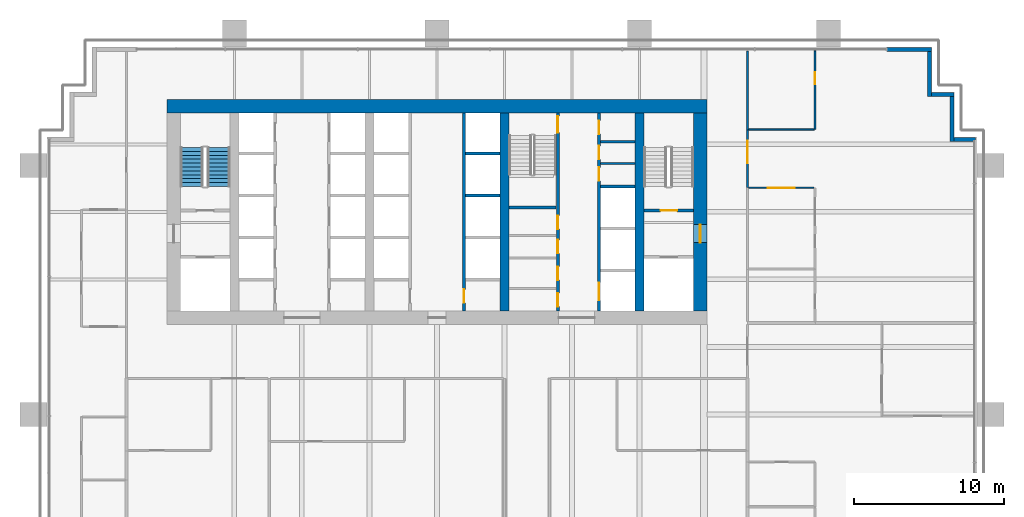
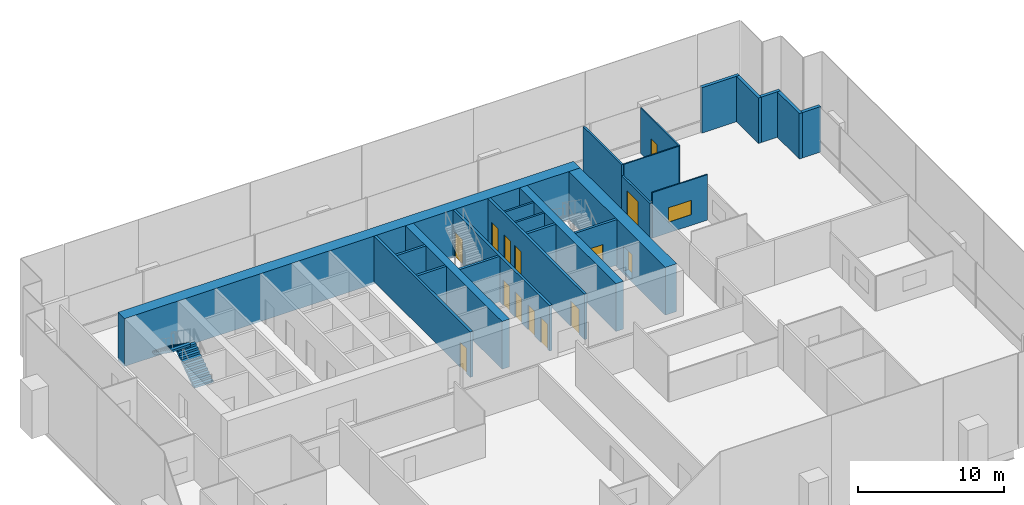
# One storey, part 15 of 19: 24 walls, 14 doors, 2 stair flights, 1 window, 15 openings, 1 element without a shape of its own.
"""IFC4 building model written with IfcOpenShell, lengths in metres."""

from ifc_helpers import new_model, si_unit, direction, frame, frame_2d, origin, place, context, subcontext, project, spatial, polyline, rectangle, outline, extrude, material, layer, layer_set, type_object, element, fill, aggregate, save


model = new_model("IFC4")

# Units and contexts
model_context = context("Model", 3, precision=1e-05, world=origin(), true_north=direction((0.0, 1.0)))
body_context = subcontext(model_context, "Body", "Model", "MODEL_VIEW")
ifc_project = project(units=[si_unit("LENGTHUNIT", "METRE"), si_unit("AREAUNIT", "SQUARE_METRE"), si_unit("VOLUMEUNIT", "CUBIC_METRE"), si_unit("PLANEANGLEUNIT", "RADIAN"), si_unit("MASSUNIT", "GRAM", prefix="KILO")], contexts=[model_context])

# Site, building, storey
site_placement = place(None, origin())
site = spatial("IfcSite", under=ifc_project, at=site_placement, CompositionType="ELEMENT")
building_placement = place(site_placement, origin())
building = spatial("IfcBuilding", under=site, at=building_placement, Name="Rattan Terrace Tower", CompositionType="ELEMENT")
storey_placement = place(building_placement, frame((0.0, 0.0, 91.699951171875)))
storey = spatial("IfcBuildingStorey", under=building, at=storey_placement, Name="L20", CompositionType="ELEMENT", Elevation=91.699951171875)

# Walls
ifc_material_1 = material(Name="Gypsum board partition")
ifc_layer_1 = layer(ifc_material_1, 0.14990234375)
ifc_layer_set_1 = layer_set([ifc_layer_1], Name="Core partition 150")
wall_type_1 = type_object("IfcWallType", Name="Core partition 150", PredefinedType="PARTITIONING", material=ifc_layer_set_1)
for number, where, z_axis, x_axis, name in (
    (1, (10.89990234375, 3.239990234375, 0.0), (0.0, 0.0, 1.0), (1.0, 0.0, 0.0), "Riser room wall"),
    (2, (10.89990234375, 4.679931640625, 0.0), (0.0, 0.0, 1.0), (1.0, 0.0, 0.0), "Riser room wall"),
):
    element("IfcWall", number, at=place(storey_placement, frame(where, z_axis=z_axis, x_axis=x_axis)), inside=storey, type_object=wall_type_1, Name=name, PredefinedType="PARTITIONING", context=body_context, shape_type="SweptSolid", body=[
        extrude(rectangle(XDim=2.300048828125, YDim=0.14990234375, at=frame_2d((1.14990234375, 0.0))), origin(), (0.0, 0.0, 1.0), 3.800048828125),
    ])

# Wall, opening, door
ifc_material_2 = material(Name="Gypsum board partition")
ifc_layer_2 = layer(ifc_material_2, 0.199951171875)
ifc_layer_set_2 = layer_set([ifc_layer_2], Name="Core partition 200")
wall_type_2 = type_object("IfcWallType", Name="Core partition 200", PredefinedType="PARTITIONING", material=ifc_layer_set_2)
wall_1_placement = place(storey_placement, frame((13.800048828125, 0.10009765625, 0.0), z_axis=(0.0, 0.0, 1.0), x_axis=(1.0, 0.0, 0.0)))
wall_1 = element("IfcWall", 3, at=wall_1_placement, inside=storey, type_object=wall_type_2, Name="Stair enclosure wall", PredefinedType="PARTITIONING", context=body_context, shape_type="SweptSolid", body=[
    extrude(rectangle(XDim=3.300048828125, YDim=0.199951171875, at=frame_2d((1.64990234375, 0.0))), origin(), (0.0, 0.0, 1.0), 3.800048828125),
])
opening_1_placement = place(wall_1_placement, frame((1.10009765625, 0.0, 0.0)))
opening_1 = element("IfcOpeningElement", 4, at=opening_1_placement, cuts=wall_1, Name="Opening L20-D004", PredefinedType="OPENING", context=body_context, shape_type="SweptSolid", body=[
    extrude(rectangle(XDim=1.10009765625, YDim=2.10009765625, at=frame_2d((0.550048828125, 1.050048828125))), frame((0.0, 0.110595703125, 0.0), z_axis=(0.0, -1.0, 0.0), x_axis=(1.0, 0.0, 0.0)), (0.0, 0.0, 1.0), 0.220947265625),
])
ifc_material_3 = material(Name="Hollow-metal fire door leaf")
door_type_1 = type_object("IfcDoorType", Name="Core stair door 1100", OperationType="NOTDEFINED", PredefinedType="DOOR", material=ifc_material_3)
door_1_placement = place(opening_1_placement, origin())
door_1 = element("IfcDoor", 5, at=door_1_placement, inside=storey, type_object=door_type_1, Name="Door L20-D004", OperationType="SINGLE_SWING_LEFT", OverallHeight=2.10009765625, OverallWidth=1.10009765625, PredefinedType="DOOR", context=body_context, shape_type="SweptSolid", body=[
    extrude(rectangle(XDim=1.10009765625, YDim=2.10009765625, at=frame_2d((0.550048828125, 1.050048828125))), frame((0.0, 0.02490234375, 0.0), z_axis=(0.0, -1.0, 0.0), x_axis=(1.0, 0.0, 0.0)), (0.0, 0.0, 1.0), 0.050048828125),
])
fill(opening_1, door_1)

# Wall, openings, doors
wall_2_placement = place(storey_placement, frame((8.050048828125, -6.60009765625, 0.0), z_axis=(0.0, 0.0, 1.0), x_axis=(0.0, 1.0, 0.0)))
wall_2 = element("IfcWall", 6, at=wall_2_placement, inside=storey, type_object=wall_type_2, Name="Lobby wall west", PredefinedType="PARTITIONING", context=body_context, shape_type="SweptSolid", body=[
    extrude(rectangle(XDim=13.2001953125, YDim=0.199951171875, at=frame_2d((6.60009765625, 0.0))), origin(), (0.0, 0.0, 1.0), 3.800048828125),
])
opening_2_placement = place(wall_2_placement, frame((0.298095703125, 0.0, 0.0)))
opening_2 = element("IfcOpeningElement", 7, at=opening_2_placement, cuts=wall_2, Name="Opening L20-D011", PredefinedType="OPENING", context=body_context, shape_type="SweptSolid", body=[
    extrude(rectangle(XDim=0.89990234375, YDim=2.10009765625, at=frame_2d((0.449951171875, 1.050048828125))), frame((0.0, 0.110595703125, 0.0), z_axis=(0.0, -1.0, 0.0), x_axis=(1.0, 0.0, 0.0)), (0.0, 0.0, 1.0), 0.220947265625),
])
opening_3_placement = place(wall_2_placement, frame((2.06591796875, 0.0, 0.0)))
opening_3 = element("IfcOpeningElement", 8, at=opening_3_placement, cuts=wall_2, Name="Opening L20-D012", PredefinedType="OPENING", context=body_context, shape_type="SweptSolid", body=[
    extrude(rectangle(XDim=0.89990234375, YDim=2.10009765625, at=frame_2d((0.449951171875, 1.050048828125))), frame((0.0, 0.110595703125, 0.0), z_axis=(0.0, -1.0, 0.0), x_axis=(1.0, 0.0, 0.0)), (0.0, 0.0, 1.0), 0.220947265625),
])
opening_4_placement = place(wall_2_placement, frame((3.833984375, 0.0, 0.0)))
opening_4 = element("IfcOpeningElement", 9, at=opening_4_placement, cuts=wall_2, Name="Opening L20-D013", PredefinedType="OPENING", context=body_context, shape_type="SweptSolid", body=[
    extrude(rectangle(XDim=0.89990234375, YDim=2.10009765625, at=frame_2d((0.449951171875, 1.050048828125))), frame((0.0, 0.110595703125, 0.0), z_axis=(0.0, -1.0, 0.0), x_axis=(1.0, 0.0, 0.0)), (0.0, 0.0, 1.0), 0.220947265625),
])
opening_5_placement = place(wall_2_placement, frame((5.466064453125, 0.0, 0.0)))
opening_5 = element("IfcOpeningElement", 10, at=opening_5_placement, cuts=wall_2, Name="Opening L20-D014", PredefinedType="OPENING", context=body_context, shape_type="SweptSolid", body=[
    extrude(rectangle(XDim=0.89990234375, YDim=2.10009765625, at=frame_2d((0.449951171875, 1.050048828125))), frame((0.0, 0.110595703125, 0.0), z_axis=(0.0, -1.0, 0.0), x_axis=(1.0, 0.0, 0.0)), (0.0, 0.0, 1.0), 0.220947265625),
])
opening_6_placement = place(wall_2_placement, frame((11.89990234375, 0.0, 0.0)))
opening_6 = element("IfcOpeningElement", 11, at=opening_6_placement, cuts=wall_2, Name="Opening L20-D015", PredefinedType="OPENING", context=body_context, shape_type="SweptSolid", body=[
    extrude(rectangle(XDim=1.10009765625, YDim=2.10009765625, at=frame_2d((0.550048828125, 1.050048828125))), frame((0.0, 0.110595703125, 0.0), z_axis=(0.0, -1.0, 0.0), x_axis=(1.0, 0.0, 0.0)), (0.0, 0.0, 1.0), 0.220947265625),
])
ifc_material_4 = material(Name="Hollow-metal fire door leaf")
door_type_2 = type_object("IfcDoorType", Name="Core service room door 900", OperationType="NOTDEFINED", PredefinedType="DOOR", material=ifc_material_4)
door_2_placement = place(opening_5_placement, origin())
door_2 = element("IfcDoor", 12, at=door_2_placement, inside=storey, type_object=door_type_2, Name="Door L20-D014", OperationType="SINGLE_SWING_RIGHT", OverallHeight=2.10009765625, OverallWidth=0.89990234375, PredefinedType="DOOR", context=body_context, shape_type="SweptSolid", body=[
    extrude(rectangle(XDim=0.89990234375, YDim=2.10009765625, at=frame_2d((0.449951171875, 1.050048828125))), frame((0.0, 0.02490234375, 0.0), z_axis=(0.0, -1.0, 0.0), x_axis=(1.0, 0.0, 0.0)), (0.0, 0.0, 1.0), 0.050048828125),
])
fill(opening_5, door_2)
door_3_placement = place(opening_6_placement, origin())
door_3 = element("IfcDoor", 13, at=door_3_placement, inside=storey, type_object=door_type_1, Name="Door L20-D015", OperationType="SINGLE_SWING_LEFT", OverallHeight=2.10009765625, OverallWidth=1.10009765625, PredefinedType="DOOR", context=body_context, shape_type="SweptSolid", body=[
    extrude(rectangle(XDim=1.10009765625, YDim=2.10009765625, at=frame_2d((0.550048828125, 1.050048828125))), frame((0.0, 0.02490234375, 0.0), z_axis=(0.0, -1.0, 0.0), x_axis=(1.0, 0.0, 0.0)), (0.0, 0.0, 1.0), 0.050048828125),
])
fill(opening_6, door_3)
ifc_material_5 = material(Name="Hollow-metal fire door leaf")
door_type_3 = type_object("IfcDoorType", Name="Core toilet door 900", OperationType="NOTDEFINED", PredefinedType="DOOR", material=ifc_material_5)
door_4_placement = place(opening_2_placement, origin())
door_4 = element("IfcDoor", 14, at=door_4_placement, inside=storey, type_object=door_type_3, Name="Door L20-D011", OperationType="SINGLE_SWING_LEFT", OverallHeight=2.10009765625, OverallWidth=0.89990234375, PredefinedType="DOOR", context=body_context, shape_type="SweptSolid", body=[
    extrude(rectangle(XDim=0.89990234375, YDim=2.10009765625, at=frame_2d((0.449951171875, 1.050048828125))), frame((0.0, 0.02490234375, 0.0), z_axis=(0.0, -1.0, 0.0), x_axis=(1.0, 0.0, 0.0)), (0.0, 0.0, 1.0), 0.050048828125),
])
fill(opening_2, door_4)
door_5_placement = place(opening_3_placement, origin())
door_5 = element("IfcDoor", 15, at=door_5_placement, inside=storey, type_object=door_type_3, Name="Door L20-D012", OperationType="SINGLE_SWING_RIGHT", OverallHeight=2.10009765625, OverallWidth=0.89990234375, PredefinedType="DOOR", context=body_context, shape_type="SweptSolid", body=[
    extrude(rectangle(XDim=0.89990234375, YDim=2.10009765625, at=frame_2d((0.449951171875, 1.050048828125))), frame((0.0, 0.02490234375, 0.0), z_axis=(0.0, -1.0, 0.0), x_axis=(1.0, 0.0, 0.0)), (0.0, 0.0, 1.0), 0.050048828125),
])
fill(opening_3, door_5)
door_6_placement = place(opening_4_placement, origin())
door_6 = element("IfcDoor", 16, at=door_6_placement, inside=storey, type_object=door_type_3, Name="Door L20-D013", OperationType="SINGLE_SWING_LEFT", OverallHeight=2.10009765625, OverallWidth=0.89990234375, PredefinedType="DOOR", context=body_context, shape_type="SweptSolid", body=[
    extrude(rectangle(XDim=0.89990234375, YDim=2.10009765625, at=frame_2d((0.449951171875, 1.050048828125))), frame((0.0, 0.02490234375, 0.0), z_axis=(0.0, -1.0, 0.0), x_axis=(1.0, 0.0, 0.0)), (0.0, 0.0, 1.0), 0.050048828125),
])
fill(opening_4, door_6)

# Walls
wall_3_placement = place(storey_placement, frame((4.800048828125, 0.300048828125, 0.0), z_axis=(0.0, 0.0, 1.0), x_axis=(1.0, 0.0, 0.0)))
element("IfcWall", 17, at=wall_3_placement, inside=storey, type_object=wall_type_2, Name="Stair enclosure wall", PredefinedType="PARTITIONING", context=body_context, shape_type="SweptSolid", body=[
    extrude(rectangle(XDim=3.14990234375, YDim=0.199951171875, at=frame_2d((1.574951171875, 0.0))), origin(), (0.0, 0.0, 1.0), 3.800048828125),
])
ifc_material_6 = material(Name="Concrete C70/85", Category="concrete")
ifc_layer_3 = layer(ifc_material_6, 0.89990234375)
ifc_layer_set_3 = layer_set([ifc_layer_3], Name="Core ring wall 900 C70/85")
wall_type_3 = type_object("IfcWallType", Name="Core ring wall 900 C70/85", PredefinedType="SHEAR", material=ifc_layer_set_3)
wall_4_placement = place(storey_placement, frame((-18.0, 7.050048828125, -0.199951171875), z_axis=(0.0, 0.0, 1.0), x_axis=(1.0, 0.0, 0.0)))
element("IfcWall", 18, at=wall_4_placement, inside=storey, type_object=wall_type_3, Name="Rear core wall north", PredefinedType="SHEAR", context=body_context, shape_type="SweptSolid", body=[
    extrude(rectangle(XDim=36.0, YDim=0.89990234375, at=frame_2d((18.0, 0.0))), origin(), (0.0, 0.0, 1.0), 4.0),
])

# Wall, opening, door
wall_5_placement = place(storey_placement, frame((17.550048828125, -6.60009765625, -0.199951171875), z_axis=(0.0, 0.0, 1.0), x_axis=(0.0, 1.0, 0.0)))
wall_5 = element("IfcWall", 19, at=wall_5_placement, inside=storey, type_object=wall_type_3, Name="Rear core wall east", PredefinedType="SHEAR", context=body_context, shape_type="SweptSolid", body=[
    extrude(rectangle(XDim=13.2001953125, YDim=0.89990234375, at=frame_2d((6.60009765625, 0.0))), origin(), (0.0, 0.0, 1.0), 4.0),
])
opening_7_placement = place(wall_5_placement, frame((4.550048828125, 0.0, 0.199951171875)))
opening_7 = element("IfcOpeningElement", 20, at=opening_7_placement, cuts=wall_5, Name="Opening L20-D003", PredefinedType="OPENING", context=body_context, shape_type="SweptSolid", body=[
    extrude(rectangle(XDim=1.199951171875, YDim=2.10009765625, at=frame_2d((0.60009765625, 1.050048828125))), frame((0.0, 0.46044921875, 0.0), z_axis=(0.0, -1.0, 0.0), x_axis=(1.0, 0.0, 0.0)), (0.0, 0.0, 1.0), 0.9208984375),
])
ifc_material_7 = material(Name="Hollow-metal fire door leaf")
door_type_4 = type_object("IfcDoorType", Name="Core fire-fighting lobby door 1200", OperationType="NOTDEFINED", PredefinedType="DOOR", material=ifc_material_7)
door_7_placement = place(opening_7_placement, origin())
door_7 = element("IfcDoor", 21, at=door_7_placement, inside=storey, type_object=door_type_4, Name="Door L20-D003", OperationType="SINGLE_SWING_RIGHT", OverallHeight=2.10009765625, OverallWidth=1.199951171875, PredefinedType="DOOR", context=body_context, shape_type="SweptSolid", body=[
    extrude(rectangle(XDim=1.199951171875, YDim=2.10009765625, at=frame_2d((0.60009765625, 1.050048828125))), frame((0.0, 0.02490234375, 0.0), z_axis=(0.0, -1.0, 0.0), x_axis=(1.0, 0.0, 0.0)), (0.0, 0.0, 1.0), 0.050048828125),
])
fill(opening_7, door_7)

# Walls
ifc_material_8 = material(Name="Concrete C70/85", Category="concrete")
ifc_layer_4 = layer(ifc_material_8, 0.60009765625)
ifc_layer_set_4 = layer_set([ifc_layer_4], Name="Core spine wall 600 C70/85")
wall_type_4 = type_object("IfcWallType", Name="Core spine wall 600 C70/85", PredefinedType="SHEAR", material=ifc_layer_set_4)
for number, where, z_axis, x_axis, name in (
    (22, (4.5, -6.60009765625, -0.199951171875), (0.0, 0.0, 1.0), (0.0, 1.0, 0.0), "Core spine wall 3"),
    (23, (13.5, -6.60009765625, -0.199951171875), (0.0, 0.0, 1.0), (0.0, 1.0, 0.0), "Core spine wall 4"),
):
    element("IfcWall", number, at=place(storey_placement, frame(where, z_axis=z_axis, x_axis=x_axis)), inside=storey, type_object=wall_type_4, Name=name, PredefinedType="SHEAR", context=body_context, shape_type="SweptSolid", body=[
        extrude(rectangle(XDim=13.2001953125, YDim=0.60009765625, at=frame_2d((6.60009765625, 0.0))), origin(), (0.0, 0.0, 1.0), 4.0),
    ])
ifc_material_9 = material(Name="Insulated aluminium-clad stud wall", Category="aluminium")
ifc_layer_5 = layer(ifc_material_9, 0.25)
ifc_layer_set_5 = layer_set([ifc_layer_5], Name="Facade Riser Wall 250")
wall_type_5 = type_object("IfcWallType", Name="Facade Riser Wall 250", PredefinedType="SOLIDWALL", material=ifc_layer_set_5)
wall_6_placement = place(storey_placement, frame((35.909912109375, 4.830078125, 0.0), z_axis=(0.0, 0.0, 1.0), x_axis=(-1.0, 0.0, 0.0)))
element("IfcWall", 24, at=wall_6_placement, inside=storey, type_object=wall_type_5, Name="Riser wall L20-6", PredefinedType="SOLIDWALL", context=body_context, shape_type="SweptSolid", body=[
    extrude(rectangle(XDim=1.454833984375, YDim=0.25, at=frame_2d((0.7275390625, 0.0))), origin(), (0.0, 0.0, 1.0), 3.800048828125),
])
wall_7_placement = place(storey_placement, frame((34.330078125, 4.705078125, 0.0), z_axis=(0.0, 0.0, 1.0), x_axis=(0.0, 1.0, 0.0)))
element("IfcWall", 25, at=wall_7_placement, inside=storey, type_object=wall_type_5, Name="Riser wall L20-7", PredefinedType="SOLIDWALL", context=body_context, shape_type="SweptSolid", body=[
    extrude(rectangle(XDim=3.0, YDim=0.25, at=frame_2d((1.5, 0.0))), origin(), (0.0, 0.0, 1.0), 3.800048828125),
])
wall_8_placement = place(storey_placement, frame((34.455078125, 7.830078125, 0.0), z_axis=(0.0, 0.0, 1.0), x_axis=(-1.0, 0.0, 0.0)))
element("IfcWall", 26, at=wall_8_placement, inside=storey, type_object=wall_type_5, Name="Riser wall L20-8", PredefinedType="SOLIDWALL", context=body_context, shape_type="SweptSolid", body=[
    extrude(rectangle(XDim=1.5, YDim=0.25, at=frame_2d((0.75, 0.0))), origin(), (0.0, 0.0, 1.0), 3.800048828125),
])
wall_9_placement = place(storey_placement, frame((32.830078125, 7.705078125, 0.0), z_axis=(0.0, 0.0, 1.0), x_axis=(0.0, 1.0, 0.0)))
element("IfcWall", 27, at=wall_9_placement, inside=storey, type_object=wall_type_5, Name="Riser wall L20-9", PredefinedType="SOLIDWALL", context=body_context, shape_type="SweptSolid", body=[
    extrude(rectangle(XDim=3.0, YDim=0.25, at=frame_2d((1.5, 0.0))), origin(), (0.0, 0.0, 1.0), 3.800048828125),
])
wall_10_placement = place(storey_placement, frame((32.955078125, 10.830078125, 0.0), z_axis=(0.0, 0.0, 1.0), x_axis=(-1.0, 0.0, 0.0)))
element("IfcWall", 28, at=wall_10_placement, inside=storey, type_object=wall_type_5, Name="Riser wall L20-10", PredefinedType="SOLIDWALL", context=body_context, shape_type="SweptSolid", body=[
    extrude(rectangle(XDim=2.955078125, YDim=0.25, at=frame_2d((1.4775390625, 0.0))), origin(), (0.0, 0.0, 1.0), 3.800048828125),
])

# Wall, opening, window
ifc_material_10 = material(Name="Gypsum board partition on steel studs", Category="steel")
ifc_layer_6 = layer(ifc_material_10, 0.10009765625)
ifc_layer_set_6 = layer_set([ifc_layer_6], Name="Floors Partition 100")
wall_type_6 = type_object("IfcWallType", Name="Floors Partition 100", PredefinedType="PARTITIONING", material=ifc_layer_set_6)
wall_11_placement = place(storey_placement, frame((25.14990234375, 1.60009765625, 0.0), z_axis=(0.0, 0.0, 1.0), x_axis=(-1.0, 0.0, 0.0)))
wall_11 = element("IfcWall", 29, at=wall_11_placement, inside=storey, type_object=wall_type_6, Name="pt-L20-052", PredefinedType="PARTITIONING", context=body_context, shape_type="SweptSolid", body=[
    extrude(rectangle(XDim=4.375, YDim=0.10009765625, at=frame_2d((2.1875, 0.0))), origin(), (0.0, 0.0, 1.0), 3.800048828125),
])
opening_8_placement = place(wall_11_placement, frame((1.2880859375, 0.0, 0.89990234375)))
opening_8 = element("IfcOpeningElement", 30, at=opening_8_placement, cuts=wall_11, Name="Opening L20-W105", PredefinedType="OPENING", context=body_context, shape_type="SweptSolid", body=[
    extrude(rectangle(XDim=1.800048828125, YDim=1.199951171875, at=frame_2d((0.89990234375, 0.60009765625))), frame((0.0, 0.060546875, 0.0), z_axis=(0.0, -1.0, 0.0), x_axis=(1.0, 0.0, 0.0)), (0.0, 0.0, 1.0), 0.12109375),
])
ifc_material_11 = material(Name="Glass, clear, fixed in aluminium frame", Category="aluminium")
window_type = type_object("IfcWindowType", Name="Interior Vision Window 1800x1200", PartitioningType="SINGLE_PANEL", PredefinedType="WINDOW", material=ifc_material_11)
window_placement = place(opening_8_placement, origin())
window = element("IfcWindow", 31, at=window_placement, inside=storey, type_object=window_type, Name="w-L20-105", OverallHeight=1.199951171875, OverallWidth=1.800048828125, PartitioningType="SINGLE_PANEL", PredefinedType="WINDOW", context=body_context, shape_type="SweptSolid", body=[
    extrude(rectangle(XDim=1.800048828125, YDim=1.199951171875, at=frame_2d((0.89990234375, 0.60009765625))), frame((0.0, 0.030029296875, 0.0), z_axis=(0.0, -1.0, 0.0), x_axis=(1.0, 0.0, 0.0)), (0.0, 0.0, 1.0), 0.06005859375),
])
fill(opening_8, window)

# Wall
wall_12_placement = place(storey_placement, frame((20.77490234375, 5.5, 0.0), z_axis=(0.0, 0.0, 1.0), x_axis=(1.0, 0.0, 0.0)))
element("IfcWall", 32, at=wall_12_placement, inside=storey, type_object=wall_type_6, Name="pt-L20-054", PredefinedType="PARTITIONING", context=body_context, shape_type="SweptSolid", body=[
    extrude(rectangle(XDim=4.375, YDim=0.10009765625, at=frame_2d((2.1875, 0.0))), origin(), (0.0, 0.0, 1.0), 3.800048828125),
])

# Wall, opening, door
wall_13_placement = place(storey_placement, frame((25.199951171875, 5.5, 0.0), z_axis=(0.0, 0.0, 1.0), x_axis=(0.0, 1.0, 0.0)))
wall_13 = element("IfcWall", 33, at=wall_13_placement, inside=storey, type_object=wall_type_6, Name="pt-L20-055", PredefinedType="PARTITIONING", context=body_context, shape_type="SweptSolid", body=[
    extrude(rectangle(XDim=5.239990234375, YDim=0.10009765625, at=frame_2d((2.6201171875, 0.0))), origin(), (0.0, 0.0, 1.0), 3.800048828125),
])
opening_9_placement = place(wall_13_placement, frame((3.008056640625, 0.0, 0.0)))
opening_9 = element("IfcOpeningElement", 34, at=opening_9_placement, cuts=wall_13, Name="Opening L20-D114", PredefinedType="OPENING", context=body_context, shape_type="SweptSolid", body=[
    extrude(rectangle(XDim=0.800048828125, YDim=2.10009765625, at=frame_2d((0.39990234375, 1.050048828125))), frame((0.0, 0.060546875, 0.0), z_axis=(0.0, -1.0, 0.0), x_axis=(1.0, 0.0, 0.0)), (0.0, 0.0, 1.0), 0.12109375),
])
ifc_material_12 = material(Name="Solid core timber door, painted", Category="wood")
door_type_5 = type_object("IfcDoorType", Name="Floors Store Door 800x2100", OperationType="NOTDEFINED", PredefinedType="DOOR", material=ifc_material_12)
door_8_placement = place(opening_9_placement, origin())
door_8 = element("IfcDoor", 35, at=door_8_placement, inside=storey, type_object=door_type_5, Name="d-L20-114", OperationType="SINGLE_SWING_RIGHT", OverallHeight=2.10009765625, OverallWidth=0.800048828125, PredefinedType="DOOR", context=body_context, shape_type="SweptSolid", body=[
    extrude(rectangle(XDim=0.800048828125, YDim=2.10009765625, at=frame_2d((0.39990234375, 1.050048828125))), frame((0.0, 0.02490234375, 0.0), z_axis=(0.0, -1.0, 0.0), x_axis=(1.0, 0.0, 0.0)), (0.0, 0.0, 1.0), 0.050048828125),
])
fill(opening_9, door_8)

ifc_material_13 = material(Name="Gypsum board partition on steel studs, fire rated", Category="steel")
ifc_layer_7 = layer(ifc_material_13, 0.14990234375)
ifc_layer_set_7 = layer_set([ifc_layer_7], Name="Floors Tenancy Wall 150")
wall_type_7 = type_object("IfcWallType", Name="Floors Tenancy Wall 150", PredefinedType="PARTITIONING", material=ifc_layer_set_7)
wall_14_placement = place(storey_placement, frame((20.699951171875, 5.47998046875, 0.0), z_axis=(0.0, 0.0, 1.0), x_axis=(0.0, -1.0, 0.0)))
wall_14 = element("IfcWall", 36, at=wall_14_placement, inside=storey, type_object=wall_type_7, Name="pt-L20-005", PredefinedType="PARTITIONING", context=body_context, shape_type="SweptSolid", body=[
    extrude(rectangle(XDim=3.85986328125, YDim=0.14990234375, at=frame_2d((1.929931640625, 0.0))), origin(), (0.0, 0.0, 1.0), 2.900146484375),
])
opening_10_placement = place(wall_14_placement, frame((0.715087890625, 0.0, 0.0)))
opening_10 = element("IfcOpeningElement", 37, at=opening_10_placement, cuts=wall_14, Name="Opening L20-D111", PredefinedType="OPENING", context=body_context, shape_type="SweptSolid", body=[
    extrude(rectangle(XDim=1.5, YDim=2.10009765625, at=frame_2d((0.75, 1.050048828125))), frame((0.0, 0.08544921875, 0.0), z_axis=(0.0, -1.0, 0.0), x_axis=(1.0, 0.0, 0.0)), (0.0, 0.0, 1.0), 0.1708984375),
])
ifc_material_14 = material(Name="Steel fire door set", Category="steel")
door_type_6 = type_object("IfcDoorType", Name="Floors Unit Door Pair FD30S 1500x2100", OperationType="NOTDEFINED", PredefinedType="DOOR", material=ifc_material_14)
door_9_placement = place(opening_10_placement, origin())
door_9 = element("IfcDoor", 38, at=door_9_placement, inside=storey, type_object=door_type_6, Name="d-L20-111", OperationType="DOUBLE_DOOR_SINGLE_SWING", OverallHeight=2.10009765625, OverallWidth=1.5, PredefinedType="DOOR", context=body_context, shape_type="SweptSolid", body=[
    extrude(rectangle(XDim=1.5, YDim=2.10009765625, at=frame_2d((0.75, 1.050048828125))), frame((0.0, 0.02490234375, 0.0), z_axis=(0.0, -1.0, 0.0), x_axis=(1.0, 0.0, 0.0)), (0.0, 0.0, 1.0), 0.050048828125),
])
fill(opening_10, door_9)

# Wall
wall_15_placement = place(storey_placement, frame((20.699951171875, 10.739990234375, 0.0), z_axis=(0.0, 0.0, 1.0), x_axis=(0.0, -1.0, 0.0)))
element("IfcWall", 39, at=wall_15_placement, inside=storey, type_object=wall_type_7, Name="pt-L20-008", PredefinedType="PARTITIONING", context=body_context, shape_type="SweptSolid", body=[
    extrude(rectangle(XDim=5.260009765625, YDim=0.14990234375, at=frame_2d((2.6298828125, 0.0))), origin(), (0.0, 0.0, 1.0), 3.800048828125),
])

# Wall, opening, door
ifc_material_15 = material(Name="Gypsum shaft wall system")
ifc_layer_8 = layer(ifc_material_15, 0.199951171875)
ifc_layer_set_8 = layer_set([ifc_layer_8], Name="Lift shaft wall 200")
wall_type_8 = type_object("IfcWallType", Name="Lift shaft wall 200", PredefinedType="PARTITIONING", material=ifc_layer_set_8)
wall_16_placement = place(storey_placement, frame((1.800048828125, -6.60009765625, 0.0), z_axis=(0.0, 0.0, 1.0), x_axis=(0.0, 1.0, 0.0)))
wall_16 = element("IfcWall", 40, at=wall_16_placement, inside=storey, type_object=wall_type_8, Name="Lift shaft front wall", PredefinedType="PARTITIONING", context=body_context, shape_type="SweptSolid", body=[
    extrude(rectangle(XDim=13.2001953125, YDim=0.199951171875, at=frame_2d((6.60009765625, 0.0))), origin(), (0.0, 0.0, 1.0), 3.800048828125),
])
opening_11_placement = place(wall_16_placement, frame((0.550048828125, 0.0, 0.0)))
opening_11 = element("IfcOpeningElement", 41, at=opening_11_placement, cuts=wall_16, Name="Opening L20-D009", PredefinedType="OPENING", context=body_context, shape_type="SweptSolid", body=[
    extrude(rectangle(XDim=0.89990234375, YDim=2.10009765625, at=frame_2d((0.449951171875, 1.050048828125))), frame((0.0, 0.110595703125, 0.0), z_axis=(0.0, -1.0, 0.0), x_axis=(1.0, 0.0, 0.0)), (0.0, 0.0, 1.0), 0.220947265625),
])
ifc_material_16 = material(Name="Hollow-metal fire door leaf")
door_type_7 = type_object("IfcDoorType", Name="Core riser door 900", OperationType="NOTDEFINED", PredefinedType="DOOR", material=ifc_material_16)
door_10_placement = place(opening_11_placement, origin())
door_10 = element("IfcDoor", 42, at=door_10_placement, inside=storey, type_object=door_type_7, Name="Door L20-D009", OperationType="SINGLE_SWING_LEFT", OverallHeight=2.10009765625, OverallWidth=0.89990234375, PredefinedType="DOOR", context=body_context, shape_type="SweptSolid", body=[
    extrude(rectangle(XDim=0.89990234375, YDim=2.10009765625, at=frame_2d((0.449951171875, 1.050048828125))), frame((0.0, 0.02490234375, 0.0), z_axis=(0.0, -1.0, 0.0), x_axis=(1.0, 0.0, 0.0)), (0.0, 0.0, 1.0), 0.050048828125),
])
fill(opening_11, door_10)

# Walls
for number, where, z_axis, x_axis, name in (
    (43, (1.89990234375, 1.10009765625, 0.0), (0.0, 0.0, 1.0), (1.0, 0.0, 0.0), "Lift shaft wall"),
    (44, (1.89990234375, 3.89990234375, 0.0), (0.0, 0.0, 1.0), (1.0, 0.0, 0.0), "Lift shaft wall"),
):
    element("IfcWall", number, at=place(storey_placement, frame(where, z_axis=z_axis, x_axis=x_axis)), inside=storey, type_object=wall_type_8, Name=name, PredefinedType="PARTITIONING", context=body_context, shape_type="SweptSolid", body=[
        extrude(rectangle(XDim=2.300048828125, YDim=0.199951171875, at=frame_2d((1.14990234375, 0.0))), origin(), (0.0, 0.0, 1.0), 3.800048828125),
    ])

# Wall, openings, doors
wall_17_placement = place(storey_placement, frame((10.800048828125, -6.60009765625, 0.0), z_axis=(0.0, 0.0, 1.0), x_axis=(0.0, 1.0, 0.0)))
wall_17 = element("IfcWall", 45, at=wall_17_placement, inside=storey, type_object=wall_type_8, Name="Lift shaft front wall", PredefinedType="PARTITIONING", context=body_context, shape_type="SweptSolid", body=[
    extrude(rectangle(XDim=13.2001953125, YDim=0.199951171875, at=frame_2d((6.60009765625, 0.0))), origin(), (0.0, 0.0, 1.0), 3.800048828125),
])
opening_12_placement = place(wall_17_placement, frame((0.699951171875, 0.0, 0.0)))
opening_12 = element("IfcOpeningElement", 46, at=opening_12_placement, cuts=wall_17, Name="Opening L20-LD-SV1", PredefinedType="OPENING", context=body_context, shape_type="SweptSolid", body=[
    extrude(rectangle(XDim=1.199951171875, YDim=2.10009765625, at=frame_2d((0.60009765625, 1.050048828125))), frame((0.0, 0.110595703125, 0.0), z_axis=(0.0, -1.0, 0.0), x_axis=(1.0, 0.0, 0.0)), (0.0, 0.0, 1.0), 0.220947265625),
])
opening_13_placement = place(wall_17_placement, frame((8.669921875, 0.0, 0.0)))
opening_13 = element("IfcOpeningElement", 47, at=opening_13_placement, cuts=wall_17, Name="Opening L20-D017", PredefinedType="OPENING", context=body_context, shape_type="SweptSolid", body=[
    extrude(rectangle(XDim=0.89990234375, YDim=2.10009765625, at=frame_2d((0.449951171875, 1.050048828125))), frame((0.0, 0.110595703125, 0.0), z_axis=(0.0, -1.0, 0.0), x_axis=(1.0, 0.0, 0.0)), (0.0, 0.0, 1.0), 0.220947265625),
])
opening_14_placement = place(wall_17_placement, frame((10.110107421875, 0.0, 0.0)))
opening_14 = element("IfcOpeningElement", 48, at=opening_14_placement, cuts=wall_17, Name="Opening L20-D018", PredefinedType="OPENING", context=body_context, shape_type="SweptSolid", body=[
    extrude(rectangle(XDim=0.89990234375, YDim=2.10009765625, at=frame_2d((0.449951171875, 1.050048828125))), frame((0.0, 0.110595703125, 0.0), z_axis=(0.0, -1.0, 0.0), x_axis=(1.0, 0.0, 0.0)), (0.0, 0.0, 1.0), 0.220947265625),
])
opening_15_placement = place(wall_17_placement, frame((11.7900390625, 0.0, 0.0)))
opening_15 = element("IfcOpeningElement", 49, at=opening_15_placement, cuts=wall_17, Name="Opening L20-D019", PredefinedType="OPENING", context=body_context, shape_type="SweptSolid", body=[
    extrude(rectangle(XDim=0.89990234375, YDim=2.10009765625, at=frame_2d((0.449951171875, 1.050048828125))), frame((0.0, 0.110595703125, 0.0), z_axis=(0.0, -1.0, 0.0), x_axis=(1.0, 0.0, 0.0)), (0.0, 0.0, 1.0), 0.220947265625),
])
ifc_material_17 = material(Name="Brushed stainless landing door panel")
door_type_8 = type_object("IfcDoorType", Name="Core lift landing door 1200", OperationType="DOUBLE_DOOR_SLIDING", PredefinedType="DOOR", material=ifc_material_17)
door_11_placement = place(opening_12_placement, origin())
door_11 = element("IfcDoor", 50, at=door_11_placement, inside=storey, type_object=door_type_8, Name="Door L20-LD-SV1", OperationType="DOUBLE_DOOR_SLIDING", OverallHeight=2.10009765625, OverallWidth=1.199951171875, PredefinedType="DOOR", context=body_context, shape_type="SweptSolid", body=[
    extrude(rectangle(XDim=1.199951171875, YDim=2.10009765625, at=frame_2d((0.60009765625, 1.050048828125))), frame((0.0, 0.02490234375, 0.0), z_axis=(0.0, -1.0, 0.0), x_axis=(1.0, 0.0, 0.0)), (0.0, 0.0, 1.0), 0.050048828125),
])
fill(opening_12, door_11)
door_12_placement = place(opening_13_placement, origin())
door_12 = element("IfcDoor", 51, at=door_12_placement, inside=storey, type_object=door_type_7, Name="Door L20-D017", OperationType="SINGLE_SWING_RIGHT", OverallHeight=2.10009765625, OverallWidth=0.89990234375, PredefinedType="DOOR", context=body_context, shape_type="SweptSolid", body=[
    extrude(rectangle(XDim=0.89990234375, YDim=2.10009765625, at=frame_2d((0.449951171875, 1.050048828125))), frame((0.0, 0.02490234375, 0.0), z_axis=(0.0, -1.0, 0.0), x_axis=(1.0, 0.0, 0.0)), (0.0, 0.0, 1.0), 0.050048828125),
])
fill(opening_13, door_12)
door_13_placement = place(opening_14_placement, origin())
door_13 = element("IfcDoor", 52, at=door_13_placement, inside=storey, type_object=door_type_7, Name="Door L20-D018", OperationType="SINGLE_SWING_LEFT", OverallHeight=2.10009765625, OverallWidth=0.89990234375, PredefinedType="DOOR", context=body_context, shape_type="SweptSolid", body=[
    extrude(rectangle(XDim=0.89990234375, YDim=2.10009765625, at=frame_2d((0.449951171875, 1.050048828125))), frame((0.0, 0.02490234375, 0.0), z_axis=(0.0, -1.0, 0.0), x_axis=(1.0, 0.0, 0.0)), (0.0, 0.0, 1.0), 0.050048828125),
])
fill(opening_14, door_13)
door_14_placement = place(opening_15_placement, origin())
door_14 = element("IfcDoor", 53, at=door_14_placement, inside=storey, type_object=door_type_2, Name="Door L20-D019", OperationType="SINGLE_SWING_RIGHT", OverallHeight=2.10009765625, OverallWidth=0.89990234375, PredefinedType="DOOR", context=body_context, shape_type="SweptSolid", body=[
    extrude(rectangle(XDim=0.89990234375, YDim=2.10009765625, at=frame_2d((0.449951171875, 1.050048828125))), frame((0.0, 0.02490234375, 0.0), z_axis=(0.0, -1.0, 0.0), x_axis=(1.0, 0.0, 0.0)), (0.0, 0.0, 1.0), 0.050048828125),
])
fill(opening_15, door_14)

# Wall
wall_18_placement = place(storey_placement, frame((10.89990234375, 1.699951171875, 0.0), z_axis=(0.0, 0.0, 1.0), x_axis=(1.0, 0.0, 0.0)))
element("IfcWall", 54, at=wall_18_placement, inside=storey, type_object=wall_type_8, Name="Lift shaft wall", PredefinedType="PARTITIONING", context=body_context, shape_type="SweptSolid", body=[
    extrude(rectangle(XDim=2.300048828125, YDim=0.199951171875, at=frame_2d((1.14990234375, 0.0))), origin(), (0.0, 0.0, 1.0), 3.800048828125),
])

# Stair, stair flights
ifc_material_18 = material(Name="Concrete C40/50", Category="concrete")
stair_type = type_object("IfcStairType", Name="Core exit stair 1500", PredefinedType="HALF_TURN_STAIR", material=ifc_material_18)
stair_placement = place(storey_placement, origin())
stair = element("IfcStair", 55, at=stair_placement, inside=storey, type_object=stair_type, Name="L20 exit stair 1", PredefinedType="HALF_TURN_STAIR")
ifc_material_19 = material(Name="Concrete C40/50", Category="concrete")
stair_flight_type = type_object("IfcStairFlightType", Name="Core exit stair flight 1500", PredefinedType="STRAIGHT", material=ifc_material_19)
stair_flight_1_placement = place(storey_placement, frame((-14.550048828125, 1.699951171875, 0.0), z_axis=(0.0, 0.0, 1.0), x_axis=(0.0, 1.0, 0.0)))
stair_flight_1 = element("IfcStairFlight", 56, at=stair_flight_1_placement, type_object=stair_flight_type, Name="S1 flight 1", NumberOfRisers=11, NumberOfTreads=10, PredefinedType="STRAIGHT", RiserHeight=0.181818182, TreadLength=0.26, context=body_context, shape_type="SweptSolid", body=[
    extrude(outline(polyline([(0.0, 0.0), (0.0, 0.181884765625), (0.260009765625, 0.181884765625), (0.260009765625, 0.363525390625), (0.52001953125, 0.363525390625), (0.52001953125, 0.54541015625), (0.780029296875, 0.54541015625), (0.780029296875, 0.727294921875), (1.0400390625, 0.727294921875), (1.0400390625, 0.9091796875), (1.300048828125, 0.9091796875), (1.300048828125, 1.0908203125), (1.56005859375, 1.0908203125), (1.56005859375, 1.272705078125), (1.820068359375, 1.272705078125), (1.820068359375, 1.45458984375), (2.080078125, 1.45458984375), (2.080078125, 1.636474609375), (2.340087890625, 1.636474609375), (2.340087890625, 1.818115234375), (2.60009765625, 1.818115234375), (2.60009765625, 2.0), (2.60009765625, 1.63525390625), (0.261474609375, 0.0), (0.0, 0.0)])), frame((0.0, 0.75, 0.0), z_axis=(0.0, -1.0, 0.0), x_axis=(1.0, 0.0, 0.0)), (0.0, 0.0, 1.0), 1.5),
])
stair_flight_2_placement = place(storey_placement, frame((-16.35009765625, 4.300048828125, 2.0), z_axis=(0.0, 0.0, 1.0), x_axis=(0.0, -1.0, 0.0)))
stair_flight_2 = element("IfcStairFlight", 57, at=stair_flight_2_placement, type_object=stair_flight_type, Name="S1 flight 2", NumberOfRisers=11, NumberOfTreads=10, PredefinedType="STRAIGHT", RiserHeight=0.181818182, TreadLength=0.26, context=body_context, shape_type="SweptSolid", body=[
    extrude(outline(polyline([(0.0, 0.0), (0.0, 0.181884765625), (0.260009765625, 0.181884765625), (0.260009765625, 0.363525390625), (0.52001953125, 0.363525390625), (0.52001953125, 0.54541015625), (0.780029296875, 0.54541015625), (0.780029296875, 0.727294921875), (1.0400390625, 0.727294921875), (1.0400390625, 0.9091796875), (1.300048828125, 0.9091796875), (1.300048828125, 1.0908203125), (1.56005859375, 1.0908203125), (1.56005859375, 1.272705078125), (1.820068359375, 1.272705078125), (1.820068359375, 1.45458984375), (2.080078125, 1.45458984375), (2.080078125, 1.636474609375), (2.340087890625, 1.636474609375), (2.340087890625, 1.818115234375), (2.60009765625, 1.818115234375), (2.60009765625, 2.0), (2.60009765625, 1.63525390625), (0.261474609375, 0.0), (0.0, 0.0)])), frame((0.0, 0.75, 0.0), z_axis=(0.0, -1.0, 0.0), x_axis=(1.0, 0.0, 0.0)), (0.0, 0.0, 1.0), 1.5),
])
aggregate(stair, [stair_flight_1, stair_flight_2])

save(model, "model.ifc")
